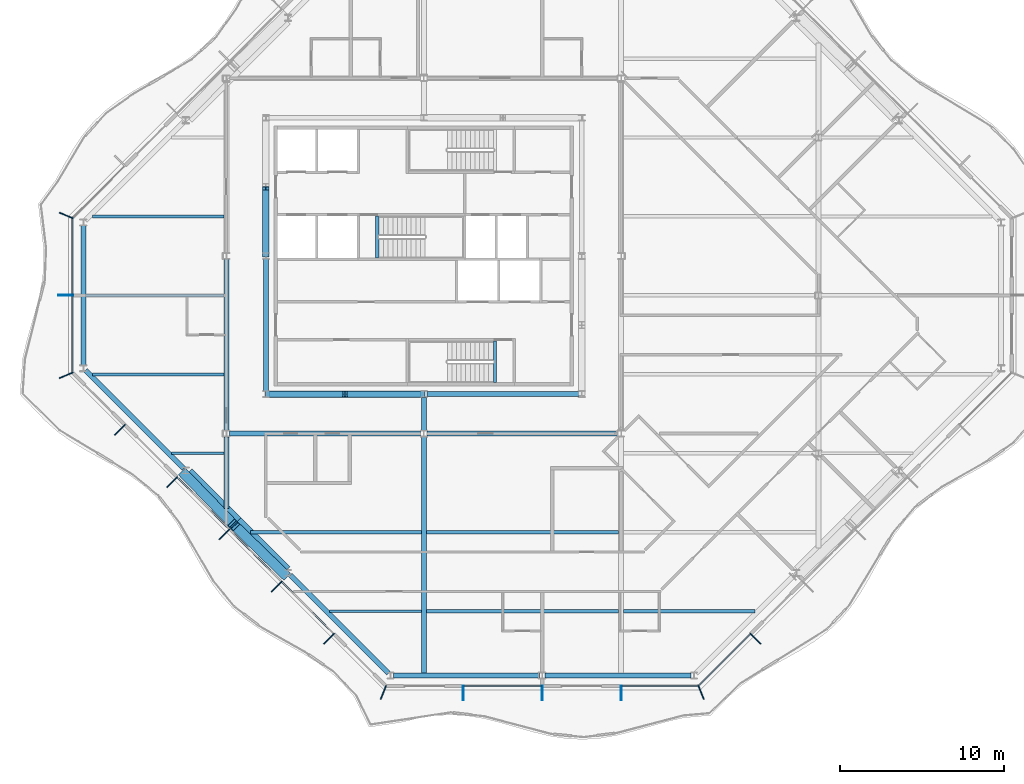
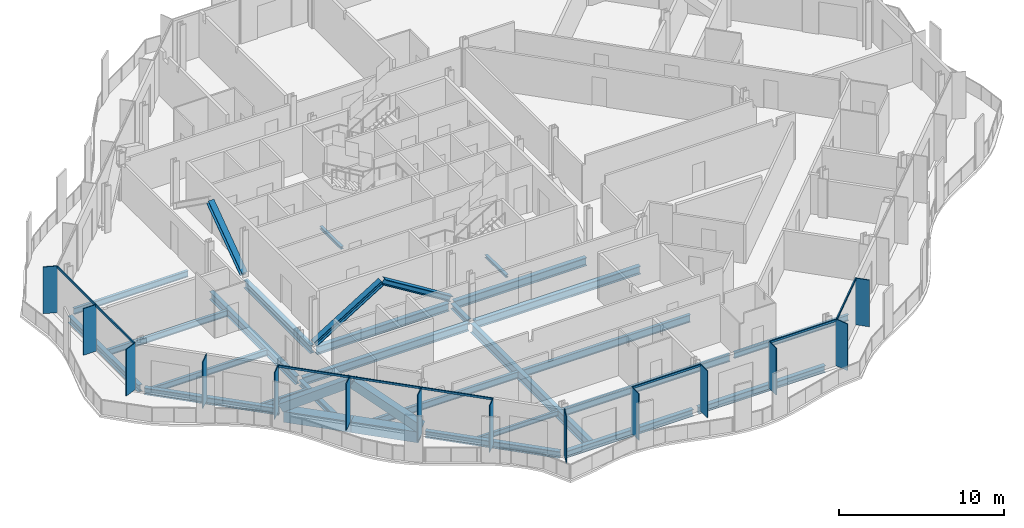
# One storey, part 3 of 17: 27 beams, 27 members, 4 elements without a shape of their own.
"""IFC4 building model written with IfcOpenShell, lengths in metres."""

import ifcopenshell
import ifcopenshell.guid

model = None  # the IFC model being written
_history = None  # IfcOwnerHistory: only IFC2X3 demands one
_inside = {}  # id of a spatial element -> (the spatial element, [elements in it])
_under = {}  # id of a project, library or spatial element -> (it, [spatial elements below it])
_declared = {}  # id of a project -> (the project, [libraries it declares])
_typed = {}  # id of a type object -> (the type object, [elements of that type])
_made_of = {}  # id of a material, layer set ... -> (it, [elements and type objects made of it])


def new_model(schema):
    """Start an empty IFC model of exactly this schema.

    Asked for "IFC4X3", IfcOpenShell would pick the latest addendum, in which some entities
    have other attributes; the version numbers below select the first issue.
    IFC2X3 requires an IfcOwnerHistory on every rooted entity: one is made here for all.
    """
    global model, _history
    if schema == "IFC4X3":
        model = ifcopenshell.file(schema_version=(4, 3, 0, 0))
    else:
        model = ifcopenshell.file(schema=schema)
    _inside.clear()
    _under.clear()
    _declared.clear()
    _typed.clear()
    _made_of.clear()
    _history = None
    if model.schema == "IFC2X3":
        org = make("IfcOrganization", Name="unknown")
        user = make(
            "IfcPersonAndOrganization",
            ThePerson=make("IfcPerson", FamilyName="unknown"),
            TheOrganization=org,
        )
        app = make(
            "IfcApplication",
            ApplicationDeveloper=org,
            Version="unknown",
            ApplicationFullName="unknown",
            ApplicationIdentifier="unknown",
        )
        _history = make(
            "IfcOwnerHistory",
            OwningUser=user,
            OwningApplication=app,
            ChangeAction="ADDED",
            CreationDate=0,
        )
    return model


def make(cls, **values):
    """One entity of the class cls with the attributes given. An attribute that is None is left unset."""
    return model.create_entity(
        cls, **{name: value for name, value in values.items() if value is not None}
    )


def rooted(cls, **values):
    """An entity with a GlobalId (a new one), such as an element, a storey or a relation."""
    return make(cls, GlobalId=ifcopenshell.guid.new(), OwnerHistory=_history, **values)


def si_unit(unit_type, name, prefix=None):
    """IfcSIUnit, for example si_unit("LENGTHUNIT", "METRE", prefix="MILLI")."""
    return make("IfcSIUnit", UnitType=unit_type, Prefix=prefix, Name=name)


def assignment(units):
    """IfcUnitAssignment: the units of a project."""
    return None if units is None else make("IfcUnitAssignment", Units=units)


def point(xyz):
    """IfcCartesianPoint."""
    return None if xyz is None else make("IfcCartesianPoint", Coordinates=xyz)


def direction(xyz):
    """IfcDirection."""
    return None if xyz is None else make("IfcDirection", DirectionRatios=xyz)


def frame(location, z_axis=None, x_axis=None):
    """IfcAxis2Placement3D, a coordinate frame: its origin and axes. An axis left out is left unset."""
    return make(
        "IfcAxis2Placement3D",
        Location=point(location),
        Axis=direction(z_axis),
        RefDirection=direction(x_axis),
    )


def frame_2d(location, x_axis=None):
    """IfcAxis2Placement2D, a coordinate frame in the plane: its origin and x axis."""
    return make(
        "IfcAxis2Placement2D", Location=point(location), RefDirection=direction(x_axis)
    )


def origin():
    """The frame at (0, 0, 0) with its axes left unset."""
    return frame((0.0, 0.0, 0.0))


def origin_2d():
    """The frame at (0, 0) in the plane with its x axis left unset."""
    return frame_2d((0.0, 0.0))


def place(relative_to, where):
    """IfcLocalPlacement: puts the frame where relative to a parent placement (None: the world)."""
    return make(
        "IfcLocalPlacement", PlacementRelTo=relative_to, RelativePlacement=where
    )


def context(
    kind, dimensions, precision=None, world=None, true_north=None, identifier=None
):
    """IfcGeometricRepresentationContext, for example the 3D "Model" context."""
    return make(
        "IfcGeometricRepresentationContext",
        ContextIdentifier=identifier,
        ContextType=kind,
        CoordinateSpaceDimension=dimensions,
        Precision=precision,
        WorldCoordinateSystem=world,
        TrueNorth=true_north,
    )


def subcontext(parent, identifier, kind, view, scale=None):
    """IfcGeometricRepresentationSubContext, for example "Body" below "Model"."""
    return make(
        "IfcGeometricRepresentationSubContext",
        ContextIdentifier=identifier,
        ContextType=kind,
        ParentContext=parent,
        TargetScale=scale,
        TargetView=view,
    )


def project(units=None, contexts=None):
    """IfcProject with its units and contexts."""
    return rooted(
        "IfcProject",
        Name="project",
        RepresentationContexts=contexts,
        UnitsInContext=assignment(units),
    )


def spatial(cls, under=None, at=None, **own):
    """A site, building, storey or space (cls), placed at a placement, below another one or the project."""
    s = rooted(cls, ObjectPlacement=at, **own)
    if under is not None:
        _under.setdefault(under.id(), (under, []))[1].append(s)
    return s


def profile(cls, at=None, kind="AREA", **sizes):
    """A parametric profile (cls). Its sizes go by their IFC names, for example OverallWidth=200.0."""
    return make(cls, ProfileType=kind, Position=at, **sizes)


def rectangle(**sizes):
    """IfcRectangleProfileDef."""
    return profile("IfcRectangleProfileDef", **sizes)


def hollow_rectangle(**sizes):
    """IfcRectangleHollowProfileDef."""
    return profile("IfcRectangleHollowProfileDef", **sizes)


def i_section(**sizes):
    """IfcIShapeProfileDef."""
    return profile("IfcIShapeProfileDef", **sizes)


def extrude(swept, where, along, depth):
    """IfcExtrudedAreaSolid: the profile swept, set in the frame where, extruded along a direction by depth."""
    return make(
        "IfcExtrudedAreaSolid",
        SweptArea=swept,
        Position=where,
        ExtrudedDirection=direction(along),
        Depth=depth,
    )


def shape(context_of_items, identifier, shape_type, items):
    """IfcShapeRepresentation: the items that make up one representation, for example the "Body"."""
    return make(
        "IfcShapeRepresentation",
        ContextOfItems=context_of_items,
        RepresentationIdentifier=identifier,
        RepresentationType=shape_type,
        Items=items,
    )


def material(Name=None, Category=None):
    """IfcMaterial."""
    return make("IfcMaterial", Name=Name, Category=Category)


def material_profile(
    of_material, cross_section, Name=None, Category=None, Priority=None
):
    """IfcMaterialProfile: a cross section and its material."""
    return make(
        "IfcMaterialProfile",
        Name=Name,
        Material=of_material,
        Profile=cross_section,
        Priority=Priority,
        Category=Category,
    )


def profile_set(profiles, Name=None, composite=None):
    """IfcMaterialProfileSet."""
    return make(
        "IfcMaterialProfileSet",
        Name=Name,
        MaterialProfiles=profiles,
        CompositeProfile=composite,
    )


def made_of(thing, what):
    """Note that an element or type object is made of a material, layer set ...; save() writes the relation."""
    if what is not None:
        _made_of.setdefault(what.id(), (what, []))[1].append(thing)
    return thing


def type_object(cls, material=None, **own):
    """A type object (cls), such as IfcWallType, which elements share."""
    return made_of(rooted(cls, **own), material)


def element(
    cls,
    number,
    at=None,
    inside=None,
    cuts=None,
    type_object=None,
    material=None,
    context=None,
    identifier="Body",
    shape_type=None,
    held_by="IfcProductDefinitionShape",
    body=None,
    shapes=None,
    **own,
):
    """One element of the class cls, such as IfcWall. Its Tag is "e" and its number.

    at: its placement. inside: the storey or other place that contains it. cuts: it is an
    opening in that element (IfcRelVoidsElement). A single representation is given by context,
    identifier, shape_type and body (its items); several are given by shapes. held_by: the class
    of the entity that holds the representations. save() writes the other relations.
    """
    e = rooted(cls, Tag="e%d" % number, ObjectPlacement=at, **own)
    if body is not None:
        shapes = [shape(context, identifier, shape_type, body)]
    if shapes is not None:
        e.Representation = make(held_by, Representations=shapes)
    if inside is not None:
        _inside.setdefault(inside.id(), (inside, []))[1].append(e)
    if cuts is not None:
        rooted(
            "IfcRelVoidsElement", RelatingBuildingElement=cuts, RelatedOpeningElement=e
        )
    if type_object is not None:
        _typed.setdefault(type_object.id(), (type_object, []))[1].append(e)
    return made_of(e, material)


def aggregate(whole, parts):
    """IfcRelAggregates: a whole, such as a stair, and the parts it consists of."""
    return rooted("IfcRelAggregates", RelatingObject=whole, RelatedObjects=parts)


def save(model, path):
    """Write the relations noted so far, then the file.

    IfcRelAggregates (storeys below a building ...), IfcRelContainedInSpatialStructure (elements
    in a storey), IfcRelDefinesByType, IfcRelAssociatesMaterial and IfcRelDeclares: one each for
    every whole, place, type object, material and project.
    """
    for whole, parts in _under.values():
        aggregate(whole, parts)
    for where, things in _inside.values():
        rooted(
            "IfcRelContainedInSpatialStructure",
            RelatedElements=things,
            RelatingStructure=where,
        )
    for kind, things in _typed.values():
        rooted("IfcRelDefinesByType", RelatedObjects=things, RelatingType=kind)
    for what, things in _made_of.values():
        rooted("IfcRelAssociatesMaterial", RelatedObjects=things, RelatingMaterial=what)
    for by, libraries in _declared.values():
        rooted("IfcRelDeclares", RelatingContext=by, RelatedDefinitions=libraries)
    model.write(path)


model = new_model("IFC4")

# Units and contexts
model_context = context("Model", 3, precision=1e-05, world=origin(), true_north=direction((0.0, 1.0)))
body_context = subcontext(model_context, "Body", "Model", "MODEL_VIEW")
ifc_project = project(units=[si_unit("LENGTHUNIT", "METRE"), si_unit("AREAUNIT", "SQUARE_METRE"), si_unit("VOLUMEUNIT", "CUBIC_METRE"), si_unit("PLANEANGLEUNIT", "RADIAN"), si_unit("MASSUNIT", "GRAM", prefix="KILO")], contexts=[model_context])

# Site, building, storey
site_placement = place(None, origin())
site = spatial("IfcSite", under=ifc_project, at=site_placement, CompositionType="ELEMENT")
building_placement = place(site_placement, origin())
building = spatial("IfcBuilding", under=site, at=building_placement, Name="Cairn Pilgrim Tower", CompositionType="ELEMENT")
storey_placement = place(building_placement, frame((0.0, 0.0, 235.800048828125)))
storey = spatial("IfcBuildingStorey", under=building, at=storey_placement, Name="L60", CompositionType="ELEMENT", Elevation=235.800048828125)

# Members
ifc_material_1 = material(Name="Structural steel S460M", Category="steel")
ifc_material_profile_1 = material_profile(ifc_material_1, hollow_rectangle(XDim=0.60009765625, YDim=0.60009765625, WallThickness=0.034912109375, at=origin_2d()), Name="BOX 600x600x35")
ifc_profile_set_1 = profile_set([ifc_material_profile_1], Name="Structural steel S460M")
member_type_1 = type_object("IfcMemberType", Name="BOX 600x600x35 BRACE", PredefinedType="BRACE", material=ifc_profile_set_1)
for number, where, z_axis, x_axis, name in (
    (1, (-7.394775390625, -10.813232421875, 0.14990234375), (0.593141693494, -0.611806144004, 0.523331800675), (0.717973624454, 0.696070308653, 0.0), "XB-SW2-SW3-1"),
    (2, (-1.213134765625, -16.99462890625, 0.14990234375), (-0.611806144004, 0.593141693494, 0.523331800675), (-0.696070308653, -0.717973624454, 0.0), "XB-SW2-SW3-2"),
):
    element("IfcMember", number, at=place(storey_placement, frame(where, z_axis=z_axis, x_axis=x_axis)), inside=storey, type_object=member_type_1, Name=name, PredefinedType="BRACE", context=body_context, shape_type="SweptSolid", body=[
        extrude(hollow_rectangle(XDim=0.60009765625, YDim=0.60009765625, WallThickness=0.034912109375, at=origin_2d()), origin(), (0.0, 0.0, 1.0), 5.035888671875),
    ])

# Beams
ifc_material_2 = material(Name="Structural steel S355J2", Category="steel")
ifc_material_profile_2 = material_profile(ifc_material_2, hollow_rectangle(XDim=0.699951171875, YDim=0.800048828125, WallThickness=0.0400390625, at=origin_2d()), Name="BOX 700x800x40")
ifc_profile_set_2 = profile_set([ifc_material_profile_2], Name="Structural steel S355J2")
beam_type_1 = type_object("IfcBeamType", Name="BOX 700x800x40 RING GIRDER", PredefinedType="SPANDREL", material=ifc_profile_set_2)
for number, where, z_axis, x_axis, name in (
    (3, (-7.147216796875, -10.780029296875, -0.550048828125), (0.707106781187, -0.707106781187, 0.0), (0.707106781187, 0.707106781187, 0.0), "RG3-SW2-SW3-1"),
    (4, (-4.16357421875, -13.763671875, -0.550048828125), (0.707106781187, -0.707106781187, 0.0), (0.707106781187, 0.707106781187, 0.0), "RG3-SW2-SW3-2"),
):
    element("IfcBeam", number, at=place(storey_placement, frame(where, z_axis=z_axis, x_axis=x_axis)), inside=storey, type_object=beam_type_1, Name=name, PredefinedType="SPANDREL", context=body_context, shape_type="SweptSolid", body=[
        extrude(hollow_rectangle(XDim=0.699951171875, YDim=0.800048828125, WallThickness=0.0400390625, at=origin_2d()), origin(), (0.0, 0.0, 1.0), 4.219482421875),
    ])

# Curtain wall, members
ifc_material_3 = material(Name="Aluminium alloy 6063-T6 bronze anodised with Bronze tinted laminated low-E glass 8+16+8.8", Category="aluminium")
curtain_wall_type_1 = type_object("IfcCurtainWallType", Name="TOWER STICK CURTAIN WALL NS", PredefinedType="NOTDEFINED", material=ifc_material_3)
curtain_wall_1_placement = place(storey_placement, origin())
curtain_wall_1 = element("IfcCurtainWall", 5, at=curtain_wall_1_placement, inside=storey, type_object=curtain_wall_type_1, Name="Tower Stick Curtain Wall Ns S", PredefinedType="NOTDEFINED")
ifc_material_4 = material(Name="Aluminium alloy 6063-T6 bronze anodised", Category="aluminium")
ifc_material_profile_3 = material_profile(ifc_material_4, rectangle(XDim=0.89990234375, YDim=0.06005859375, at=origin_2d()), Name="FIN MULLION 60x900 BRONZE")
ifc_profile_set_3 = profile_set([ifc_material_profile_3], Name="Aluminium alloy 6063-T6 bronze anodised")
member_type_2 = type_object("IfcMemberType", Name="FIN MULLION 60x900 BRONZE", PredefinedType="MULLION", material=ifc_profile_set_3)
member_1_placement = place(storey_placement, frame((4.742919921875, -24.137939453125, 0.0), z_axis=(0.0, 0.0, 1.0), x_axis=(-0.382683432365, -0.923879532511, 0.0)))
member_1 = element("IfcMember", 6, at=member_1_placement, type_object=member_type_2, Name="Fin mullion S1", PredefinedType="MULLION", context=body_context, shape_type="SweptSolid", body=[
    extrude(rectangle(XDim=0.89990234375, YDim=0.06005859375, at=origin_2d()), origin(), (0.0, 0.0, 1.0), 3.449951171875),
])
member_2_placement = place(storey_placement, frame((9.60009765625, -24.169921875, 0.0), z_axis=(0.0, 0.0, 1.0), x_axis=(0.0, -1.0, 0.0)))
member_2 = element("IfcMember", 7, at=member_2_placement, type_object=member_type_2, Name="Fin mullion S2", PredefinedType="MULLION", context=body_context, shape_type="SweptSolid", body=[
    extrude(rectangle(XDim=0.89990234375, YDim=0.06005859375, at=origin_2d()), origin(), (0.0, 0.0, 1.0), 3.449951171875),
])
member_3_placement = place(storey_placement, frame((14.39990234375, -24.169921875, 0.0), z_axis=(0.0, 0.0, 1.0), x_axis=(0.0, -1.0, 0.0)))
member_3 = element("IfcMember", 8, at=member_3_placement, type_object=member_type_2, Name="Fin mullion S3", PredefinedType="MULLION", context=body_context, shape_type="SweptSolid", body=[
    extrude(rectangle(XDim=0.89990234375, YDim=0.06005859375, at=origin_2d()), origin(), (0.0, 0.0, 1.0), 3.449951171875),
])
member_4_placement = place(storey_placement, frame((19.199951171875, -24.169921875, 0.0), z_axis=(0.0, 0.0, 1.0), x_axis=(0.0, -1.0, 0.0)))
member_4 = element("IfcMember", 9, at=member_4_placement, type_object=member_type_2, Name="Fin mullion S4", PredefinedType="MULLION", context=body_context, shape_type="SweptSolid", body=[
    extrude(rectangle(XDim=0.89990234375, YDim=0.06005859375, at=origin_2d()), origin(), (0.0, 0.0, 1.0), 3.449951171875),
])

curtain_wall_type_2 = type_object("IfcCurtainWallType", Name="CHAMFER CORNER CURTAIN WALL", PredefinedType="NOTDEFINED", material=ifc_material_3)
curtain_wall_2_placement = place(storey_placement, origin())
curtain_wall_2 = element("IfcCurtainWall", 10, at=curtain_wall_2_placement, inside=storey, type_object=curtain_wall_type_2, Name="Chamfer Corner Curtain Wall SE", PredefinedType="NOTDEFINED")
member_5_placement = place(storey_placement, frame((24.05712890625, -24.137939453125, 0.0), z_axis=(0.0, 0.0, 1.0), x_axis=(0.382683432365, -0.923879532511, 0.0)))
member_5 = element("IfcMember", 11, at=member_5_placement, type_object=member_type_2, Name="Fin mullion SE1", PredefinedType="MULLION", context=body_context, shape_type="SweptSolid", body=[
    extrude(rectangle(XDim=0.89990234375, YDim=0.06005859375, at=origin_2d()), origin(), (0.0, 0.0, 1.0), 3.449951171875),
])
member_6_placement = place(storey_placement, frame((27.369140625, -20.871337890625, 0.0), z_axis=(0.0, 0.0, 1.0), x_axis=(0.707106781187, -0.707106781187, 0.0)))
member_6 = element("IfcMember", 12, at=member_6_placement, type_object=member_type_2, Name="Fin mullion SE2", PredefinedType="MULLION", context=body_context, shape_type="SweptSolid", body=[
    extrude(rectangle(XDim=0.89990234375, YDim=0.06005859375, at=origin_2d()), origin(), (0.0, 0.0, 1.0), 3.449951171875),
])

curtain_wall_type_3 = type_object("IfcCurtainWallType", Name="TOWER STICK CURTAIN WALL EW", PredefinedType="NOTDEFINED", material=ifc_material_3)
curtain_wall_3_placement = place(storey_placement, origin())
curtain_wall_3 = element("IfcCurtainWall", 13, at=curtain_wall_3_placement, inside=storey, type_object=curtain_wall_type_3, Name="Tower Stick Curtain Wall Ew W", PredefinedType="NOTDEFINED")
member_7_placement = place(storey_placement, frame((-14.5380859375, 4.857177734375, 0.0), z_axis=(0.0, 0.0, 1.0), x_axis=(-0.923879532511, 0.382683432365, 0.0)))
member_7 = element("IfcMember", 14, at=member_7_placement, type_object=member_type_2, Name="Fin mullion W1", PredefinedType="MULLION", context=body_context, shape_type="SweptSolid", body=[
    extrude(rectangle(XDim=0.89990234375, YDim=0.06005859375, at=origin_2d()), origin(), (0.0, 0.0, 1.0), 3.449951171875),
])
member_8_placement = place(storey_placement, frame((-14.570068359375, 0.0, 0.0), z_axis=(0.0, 0.0, 1.0), x_axis=(-1.0, 0.0, 0.0)))
member_8 = element("IfcMember", 15, at=member_8_placement, type_object=member_type_2, Name="Fin mullion W2", PredefinedType="MULLION", context=body_context, shape_type="SweptSolid", body=[
    extrude(rectangle(XDim=0.89990234375, YDim=0.06005859375, at=origin_2d()), origin(), (0.0, 0.0, 1.0), 3.449951171875),
])

curtain_wall_4_placement = place(storey_placement, origin())
curtain_wall_4 = element("IfcCurtainWall", 16, at=curtain_wall_4_placement, inside=storey, type_object=curtain_wall_type_2, Name="Chamfer Corner Curtain Wall SW", PredefinedType="NOTDEFINED")
member_9_placement = place(storey_placement, frame((-14.5380859375, -4.857177734375, 0.0), z_axis=(0.0, 0.0, 1.0), x_axis=(-0.923879532511, -0.382683432365, 0.0)))
member_9 = element("IfcMember", 17, at=member_9_placement, type_object=member_type_2, Name="Fin mullion SW1", PredefinedType="MULLION", context=body_context, shape_type="SweptSolid", body=[
    extrude(rectangle(XDim=0.89990234375, YDim=0.06005859375, at=origin_2d()), origin(), (0.0, 0.0, 1.0), 3.449951171875),
])
member_10_placement = place(storey_placement, frame((-11.271484375, -8.1689453125, 0.0), z_axis=(0.0, 0.0, 1.0), x_axis=(-0.707106781187, -0.707106781187, 0.0)))
member_10 = element("IfcMember", 18, at=member_10_placement, type_object=member_type_2, Name="Fin mullion SW2", PredefinedType="MULLION", context=body_context, shape_type="SweptSolid", body=[
    extrude(rectangle(XDim=0.89990234375, YDim=0.06005859375, at=origin_2d()), origin(), (0.0, 0.0, 1.0), 3.449951171875),
])
member_11_placement = place(storey_placement, frame((-8.095703125, -11.3447265625, 0.0), z_axis=(0.0, 0.0, 1.0), x_axis=(-0.707106781187, -0.707106781187, 0.0)))
member_11 = element("IfcMember", 19, at=member_11_placement, type_object=member_type_2, Name="Fin mullion SW3", PredefinedType="MULLION", context=body_context, shape_type="SweptSolid", body=[
    extrude(rectangle(XDim=0.89990234375, YDim=0.06005859375, at=origin_2d()), origin(), (0.0, 0.0, 1.0), 3.449951171875),
])
member_12_placement = place(storey_placement, frame((-4.920166015625, -14.520263671875, 0.0), z_axis=(0.0, 0.0, 1.0), x_axis=(-0.707106781187, -0.707106781187, 0.0)))
member_12 = element("IfcMember", 20, at=member_12_placement, type_object=member_type_2, Name="Fin mullion SW4", PredefinedType="MULLION", context=body_context, shape_type="SweptSolid", body=[
    extrude(rectangle(XDim=0.89990234375, YDim=0.06005859375, at=origin_2d()), origin(), (0.0, 0.0, 1.0), 3.449951171875),
])
member_13_placement = place(storey_placement, frame((-1.74462890625, -17.69580078125, 0.0), z_axis=(0.0, 0.0, 1.0), x_axis=(-0.707106781187, -0.707106781187, 0.0)))
member_13 = element("IfcMember", 21, at=member_13_placement, type_object=member_type_2, Name="Fin mullion SW5", PredefinedType="MULLION", context=body_context, shape_type="SweptSolid", body=[
    extrude(rectangle(XDim=0.89990234375, YDim=0.06005859375, at=origin_2d()), origin(), (0.0, 0.0, 1.0), 3.449951171875),
])
member_14_placement = place(storey_placement, frame((1.430908203125, -20.871337890625, 0.0), z_axis=(0.0, 0.0, 1.0), x_axis=(-0.707106781187, -0.707106781187, 0.0)))
member_14 = element("IfcMember", 22, at=member_14_placement, type_object=member_type_2, Name="Fin mullion SW6", PredefinedType="MULLION", context=body_context, shape_type="SweptSolid", body=[
    extrude(rectangle(XDim=0.89990234375, YDim=0.06005859375, at=origin_2d()), origin(), (0.0, 0.0, 1.0), 3.449951171875),
])

# Members
ifc_material_profile_4 = material_profile(ifc_material_2, i_section(OverallWidth=0.39794921875, OverallDepth=0.386962890625, WebThickness=0.02099609375, FlangeThickness=0.033203125, FilletRadius=0.014892578125, at=origin_2d()), Name="HD 400x262")
ifc_profile_set_4 = profile_set([ifc_material_profile_4], Name="Structural steel S355J2")
member_type_3 = type_object("IfcMemberType", Name="HD 400x262 BRACE", PredefinedType="BRACE", material=ifc_profile_set_4)
for number, where, z_axis, x_axis, name in (
    (23, (-2.360107421875, -6.0, 0.099853515625), (0.851197168056, 0.0, 0.524846054661), (0.0, 1.0, 0.0), "KB-1A"),
    (24, (7.16015625, -6.0, 0.099853515625), (-0.851197168056, 0.0, 0.524846054661), (0.0, -1.0, 0.0), "KB-1B"),
):
    element("IfcMember", number, at=place(storey_placement, frame(where, z_axis=z_axis, x_axis=x_axis)), inside=storey, type_object=member_type_3, Name=name, PredefinedType="BRACE", context=body_context, shape_type="SweptSolid", body=[
        extrude(i_section(OverallWidth=0.39794921875, OverallDepth=0.386962890625, WebThickness=0.02099609375, FlangeThickness=0.033203125, FilletRadius=0.014892578125, at=origin_2d()), origin(), (0.0, 0.0, 1.0), 5.52978515625),
    ])
member_15_placement = place(storey_placement, frame((-2.39990234375, 2.439697265625, 0.099853515625), z_axis=(0.0, 0.814462005215, 0.580216892258), x_axis=(-1.0, 0.0, 0.0)))
element("IfcMember", 25, at=member_15_placement, inside=storey, type_object=member_type_3, Name="KB-4B", PredefinedType="BRACE", context=body_context, shape_type="SweptSolid", body=[
    extrude(i_section(OverallWidth=0.39794921875, OverallDepth=0.386962890625, WebThickness=0.02099609375, FlangeThickness=0.033203125, FilletRadius=0.014892578125, at=origin_2d()), origin(), (0.0, 0.0, 1.0), 4.999755859375),
])

# Beams
ifc_material_profile_5 = material_profile(ifc_material_2, i_section(OverallWidth=0.300048828125, OverallDepth=0.39990234375, WebThickness=0.013427734375, FlangeThickness=0.02392578125, FilletRadius=0.027099609375, at=origin_2d()), Name="HEB 400")
ifc_profile_set_5 = profile_set([ifc_material_profile_5], Name="Structural steel S355J2")
beam_type_2 = type_object("IfcBeamType", Name="HEB 400 GIRDER", PredefinedType="BEAM", material=ifc_profile_set_5)
beam_1_placement = place(storey_placement, frame((-4.800048828125, -12.945068359375, -0.35009765625), z_axis=(0.0, 1.0, 0.0), x_axis=(-1.0, 0.0, 0.0)))
element("IfcBeam", 26, at=beam_1_placement, inside=storey, type_object=beam_type_2, Name="PG2-1", PredefinedType="BEAM", context=body_context, shape_type="SweptSolid", body=[
    extrude(i_section(OverallWidth=0.300048828125, OverallDepth=0.39990234375, WebThickness=0.013427734375, FlangeThickness=0.02392578125, FilletRadius=0.027099609375, at=origin_2d()), origin(), (0.0, 0.0, 1.0), 4.34814453125),
])
beam_2_placement = place(storey_placement, frame((7.199951171875, -8.202880859375, -0.35009765625), z_axis=(0.0, 1.0, 0.0), x_axis=(-1.0, 0.0, 0.0)))
element("IfcBeam", 27, at=beam_2_placement, inside=storey, type_object=beam_type_2, Name="PG3-E1", PredefinedType="BEAM", context=body_context, shape_type="SweptSolid", body=[
    extrude(i_section(OverallWidth=0.300048828125, OverallDepth=0.39990234375, WebThickness=0.013427734375, FlangeThickness=0.02392578125, FilletRadius=0.027099609375, at=origin_2d()), origin(), (0.0, 0.0, 1.0), 2.00390625),
])
ifc_material_profile_6 = material_profile(ifc_material_2, i_section(OverallWidth=0.300048828125, OverallDepth=0.5, WebThickness=0.014404296875, FlangeThickness=0.028076171875, FilletRadius=0.027099609375, at=origin_2d()), Name="HEB 500")
ifc_profile_set_6 = profile_set([ifc_material_profile_6], Name="Structural steel S355J2")
beam_type_3 = type_object("IfcBeamType", Name="HEB 500 RING GIRDER", PredefinedType="SPANDREL", material=ifc_profile_set_6)
beam_3_placement = place(storey_placement, frame((5.3544921875, -23.10009765625, -0.400146484375), z_axis=(1.0, 0.0, 0.0), x_axis=(0.0, 1.0, 0.0)))
element("IfcBeam", 28, at=beam_3_placement, inside=storey, type_object=beam_type_3, Name="RG3-S1-S2", PredefinedType="SPANDREL", context=body_context, shape_type="SweptSolid", body=[
    extrude(i_section(OverallWidth=0.300048828125, OverallDepth=0.5, WebThickness=0.014404296875, FlangeThickness=0.028076171875, FilletRadius=0.027099609375, at=origin_2d()), origin(), (0.0, 0.0, 1.0), 8.86376953125),
])
beam_4_placement = place(storey_placement, frame((14.581787109375, -23.10009765625, -0.400146484375), z_axis=(1.0, 0.0, 0.0), x_axis=(0.0, 1.0, 0.0)))
element("IfcBeam", 29, at=beam_4_placement, inside=storey, type_object=beam_type_3, Name="RG3-S2-SE1", PredefinedType="SPANDREL", context=body_context, shape_type="SweptSolid", body=[
    extrude(i_section(OverallWidth=0.300048828125, OverallDepth=0.5, WebThickness=0.014404296875, FlangeThickness=0.028076171875, FilletRadius=0.027099609375, at=origin_2d()), origin(), (0.0, 0.0, 1.0), 8.863525390625),
])
beam_5_placement = place(storey_placement, frame((-13.5, 4.245361328125, -0.400146484375), z_axis=(0.0, -1.0, 0.0), x_axis=(1.0, 0.0, 0.0)))
element("IfcBeam", 30, at=beam_5_placement, inside=storey, type_object=beam_type_3, Name="RG3-W1-SW1", PredefinedType="SPANDREL", context=body_context, shape_type="SweptSolid", body=[
    extrude(i_section(OverallWidth=0.300048828125, OverallDepth=0.5, WebThickness=0.014404296875, FlangeThickness=0.028076171875, FilletRadius=0.027099609375, at=origin_2d()), origin(), (0.0, 0.0, 1.0), 8.49072265625),
])
for number, where, z_axis, x_axis, name in (
    (31, (-13.371337890625, -4.555908203125, -0.400146484375), (0.707106781187, -0.707106781187, 0.0), (0.707106781187, 0.707106781187, 0.0), "RG3-SW1-SW2"),
    (32, (-0.9228515625, -17.00439453125, -0.400146484375), (0.707106781187, -0.707106781187, 0.0), (0.707106781187, 0.707106781187, 0.0), "RG3-SW3-S1"),
):
    element("IfcBeam", number, at=place(storey_placement, frame(where, z_axis=z_axis, x_axis=x_axis)), inside=storey, type_object=beam_type_3, Name=name, PredefinedType="SPANDREL", context=body_context, shape_type="SweptSolid", body=[
        extrude(i_section(OverallWidth=0.300048828125, OverallDepth=0.5, WebThickness=0.014404296875, FlangeThickness=0.028076171875, FilletRadius=0.027099609375, at=origin_2d()), origin(), (0.0, 0.0, 1.0), 8.438720703125),
    ])
ifc_material_profile_7 = material_profile(ifc_material_2, i_section(OverallWidth=0.300048828125, OverallDepth=0.60009765625, WebThickness=0.015380859375, FlangeThickness=0.030029296875, FilletRadius=0.027099609375, at=origin_2d()), Name="HEB 600")
ifc_profile_set_7 = profile_set([ifc_material_profile_7], Name="Structural steel S355J2")
beam_type_4 = type_object("IfcBeamType", Name="HEB 600 CORE BEAM", PredefinedType="BEAM", material=ifc_profile_set_7)
beam_6_placement = place(storey_placement, frame((-2.220947265625, -6.0, -0.449951171875), z_axis=(1.0, 0.0, 0.0), x_axis=(0.0, 1.0, 0.0)))
element("IfcBeam", 33, at=beam_6_placement, inside=storey, type_object=beam_type_4, Name="CB-1", PredefinedType="BEAM", context=body_context, shape_type="SweptSolid", body=[
    extrude(i_section(OverallWidth=0.300048828125, OverallDepth=0.60009765625, WebThickness=0.015380859375, FlangeThickness=0.030029296875, FilletRadius=0.027099609375, at=origin_2d()), origin(), (0.0, 0.0, 1.0), 9.241943359375),
])
beam_7_placement = place(storey_placement, frame((7.379150390625, -6.0, -0.449951171875), z_axis=(1.0, 0.0, 0.0), x_axis=(0.0, 1.0, 0.0)))
element("IfcBeam", 34, at=beam_7_placement, inside=storey, type_object=beam_type_4, Name="CB-2", PredefinedType="BEAM", context=body_context, shape_type="SweptSolid", body=[
    extrude(i_section(OverallWidth=0.300048828125, OverallDepth=0.60009765625, WebThickness=0.015380859375, FlangeThickness=0.030029296875, FilletRadius=0.027099609375, at=origin_2d()), origin(), (0.0, 0.0, 1.0), 9.24169921875),
])
beam_8_placement = place(storey_placement, frame((-2.39990234375, 2.220947265625, -0.449951171875), z_axis=(0.0, -1.0, 0.0), x_axis=(1.0, 0.0, 0.0)))
element("IfcBeam", 35, at=beam_8_placement, inside=storey, type_object=beam_type_4, Name="CB-8", PredefinedType="BEAM", context=body_context, shape_type="SweptSolid", body=[
    extrude(i_section(OverallWidth=0.300048828125, OverallDepth=0.60009765625, WebThickness=0.015380859375, FlangeThickness=0.030029296875, FilletRadius=0.027099609375, at=origin_2d()), origin(), (0.0, 0.0, 1.0), 8.041748046875),
])
ifc_material_profile_8 = material_profile(ifc_material_2, i_section(OverallWidth=0.300048828125, OverallDepth=0.60009765625, WebThickness=0.015380859375, FlangeThickness=0.030029296875, FilletRadius=0.027099609375, at=origin_2d()), Name="HEB 600")
ifc_profile_set_8 = profile_set([ifc_material_profile_8], Name="Structural steel S355J2")
beam_type_5 = type_object("IfcBeamType", Name="HEB 600 GIRDER", PredefinedType="BEAM", material=ifc_profile_set_8)
beam_9_placement = place(storey_placement, frame((-4.800048828125, -8.202880859375, -0.449951171875), z_axis=(0.0, 1.0, 0.0), x_axis=(-1.0, 0.0, 0.0)))
element("IfcBeam", 36, at=beam_9_placement, inside=storey, type_object=beam_type_5, Name="PG2-2", PredefinedType="BEAM", context=body_context, shape_type="SweptSolid", body=[
    extrude(i_section(OverallWidth=0.300048828125, OverallDepth=0.60009765625, WebThickness=0.015380859375, FlangeThickness=0.030029296875, FilletRadius=0.027099609375, at=origin_2d()), origin(), (0.0, 0.0, 1.0), 10.40576171875),
])
ifc_material_profile_9 = material_profile(ifc_material_2, i_section(OverallWidth=0.300048828125, OverallDepth=0.60009765625, WebThickness=0.015380859375, FlangeThickness=0.030029296875, FilletRadius=0.027099609375, at=origin_2d()), Name="HEB 600")
ifc_profile_set_9 = profile_set([ifc_material_profile_9], Name="Structural steel S355J2")
beam_type_6 = type_object("IfcBeamType", Name="HEB 600 INNER GIRDER", PredefinedType="BEAM", material=ifc_profile_set_9)
for number, where, z_axis, x_axis, name in (
    (37, (-4.60302734375, -8.39990234375, -0.449951171875), (1.0, 0.0, 0.0), (0.0, 1.0, 0.0), "IG1-1"),
    (38, (7.39697265625, -8.39990234375, -0.449951171875), (1.0, 0.0, 0.0), (0.0, 1.0, 0.0), "IG1-2"),
):
    element("IfcBeam", number, at=place(storey_placement, frame(where, z_axis=z_axis, x_axis=x_axis)), inside=storey, type_object=beam_type_6, Name=name, PredefinedType="BEAM", context=body_context, shape_type="SweptSolid", body=[
        extrude(i_section(OverallWidth=0.300048828125, OverallDepth=0.60009765625, WebThickness=0.015380859375, FlangeThickness=0.030029296875, FilletRadius=0.027099609375, at=origin_2d()), origin(), (0.0, 0.0, 1.0), 11.60595703125),
    ])
ifc_material_profile_10 = material_profile(ifc_material_2, i_section(OverallWidth=0.300048828125, OverallDepth=0.699951171875, WebThickness=0.01708984375, FlangeThickness=0.031982421875, FilletRadius=0.027099609375, at=origin_2d()), Name="HEB 700")
ifc_profile_set_10 = profile_set([ifc_material_profile_10], Name="Structural steel S355J2")
beam_type_7 = type_object("IfcBeamType", Name="HEB 700 GIRDER", PredefinedType="BEAM", material=ifc_profile_set_10)
beam_10_placement = place(storey_placement, frame((7.199951171875, -22.97998046875, -0.5), z_axis=(0.0, 1.0, 0.0), x_axis=(-1.0, 0.0, 0.0)))
element("IfcBeam", 39, at=beam_10_placement, inside=storey, type_object=beam_type_7, Name="PG3-1", PredefinedType="BEAM", context=body_context, shape_type="SweptSolid", body=[
    extrude(i_section(OverallWidth=0.300048828125, OverallDepth=0.699951171875, WebThickness=0.01708984375, FlangeThickness=0.031982421875, FilletRadius=0.027099609375, at=origin_2d()), origin(), (0.0, 0.0, 1.0), 14.383056640625),
])
ifc_material_profile_11 = material_profile(ifc_material_2, i_section(OverallWidth=0.169921875, OverallDepth=0.360107421875, WebThickness=0.008056640625, FlangeThickness=0.0126953125, FilletRadius=0.01806640625, at=origin_2d()), Name="IPE 360")
ifc_profile_set_11 = profile_set([ifc_material_profile_11], Name="Structural steel S355J2")
beam_type_8 = type_object("IfcBeamType", Name="IPE 360 SECONDARY BEAM", PredefinedType="JOIST", material=ifc_profile_set_11)
beam_11_placement = place(storey_placement, frame((1.454833984375, -19.199951171875, -0.330078125), z_axis=(1.0, 0.0, 0.0), x_axis=(0.0, 1.0, 0.0)))
element("IfcBeam", 40, at=beam_11_placement, inside=storey, type_object=beam_type_8, Name="SB1-1", PredefinedType="JOIST", context=body_context, shape_type="SweptSolid", body=[
    extrude(i_section(OverallWidth=0.169921875, OverallDepth=0.360107421875, WebThickness=0.008056640625, FlangeThickness=0.0126953125, FilletRadius=0.01806640625, at=origin_2d()), origin(), (0.0, 0.0, 1.0), 5.59521484375),
])
beam_12_placement = place(storey_placement, frame((-8.14501953125, -9.60009765625, -0.330078125), z_axis=(1.0, 0.0, 0.0), x_axis=(0.0, 1.0, 0.0)))
element("IfcBeam", 41, at=beam_12_placement, inside=storey, type_object=beam_type_8, Name="SB3-1", PredefinedType="JOIST", context=body_context, shape_type="SweptSolid", body=[
    extrude(i_section(OverallWidth=0.169921875, OverallDepth=0.360107421875, WebThickness=0.008056640625, FlangeThickness=0.0126953125, FilletRadius=0.01806640625, at=origin_2d()), origin(), (0.0, 0.0, 1.0), 3.195068359375),
])
ifc_material_profile_12 = material_profile(ifc_material_2, i_section(OverallWidth=0.18994140625, OverallDepth=0.449951171875, WebThickness=0.009521484375, FlangeThickness=0.0146484375, FilletRadius=0.02099609375, at=origin_2d()), Name="IPE 450")
ifc_profile_set_12 = profile_set([ifc_material_profile_12], Name="Structural steel S355J2")
beam_type_9 = type_object("IfcBeamType", Name="IPE 450 SECONDARY BEAM", PredefinedType="JOIST", material=ifc_profile_set_12)
for number, where, z_axis, x_axis, name in (
    (42, (19.35009765625, -19.199951171875, -0.375), (1.0, 0.0, 0.0), (0.0, 1.0, 0.0), "SB1-3"),
    (43, (-12.945068359375, -4.800048828125, -0.375), (1.0, 0.0, 0.0), (0.0, 1.0, 0.0), "SB4-1"),
):
    element("IfcBeam", number, at=place(storey_placement, frame(where, z_axis=z_axis, x_axis=x_axis)), inside=storey, type_object=beam_type_9, Name=name, PredefinedType="JOIST", context=body_context, shape_type="SweptSolid", body=[
        extrude(i_section(OverallWidth=0.18994140625, OverallDepth=0.449951171875, WebThickness=0.009521484375, FlangeThickness=0.0146484375, FilletRadius=0.02099609375, at=origin_2d()), origin(), (0.0, 0.0, 1.0), 7.9951171875),
    ])
beam_13_placement = place(storey_placement, frame((-13.3798828125, 0.0, -0.375), z_axis=(1.0, 0.0, 0.0), x_axis=(0.0, 1.0, 0.0)))
element("IfcBeam", 44, at=beam_13_placement, inside=storey, type_object=beam_type_9, Name="SB5-1", PredefinedType="JOIST", context=body_context, shape_type="SweptSolid", body=[
    extrude(i_section(OverallWidth=0.18994140625, OverallDepth=0.449951171875, WebThickness=0.009521484375, FlangeThickness=0.0146484375, FilletRadius=0.02099609375, at=origin_2d()), origin(), (0.0, 0.0, 1.0), 8.429931640625),
])
beam_14_placement = place(storey_placement, frame((-12.945068359375, 4.800048828125, -0.375), z_axis=(1.0, 0.0, 0.0), x_axis=(0.0, 1.0, 0.0)))
element("IfcBeam", 45, at=beam_14_placement, inside=storey, type_object=beam_type_9, Name="SB6-1", PredefinedType="JOIST", context=body_context, shape_type="SweptSolid", body=[
    extrude(i_section(OverallWidth=0.18994140625, OverallDepth=0.449951171875, WebThickness=0.009521484375, FlangeThickness=0.0146484375, FilletRadius=0.02099609375, at=origin_2d()), origin(), (0.0, 0.0, 1.0), 7.9951171875),
])
ifc_material_profile_13 = material_profile(ifc_material_2, i_section(OverallWidth=0.199951171875, OverallDepth=0.5, WebThickness=0.01025390625, FlangeThickness=0.01611328125, FilletRadius=0.02099609375, at=origin_2d()), Name="IPE 500")
ifc_profile_set_13 = profile_set([ifc_material_profile_13], Name="Structural steel S355J2")
beam_type_10 = type_object("IfcBeamType", Name="IPE 500 SECONDARY BEAM", PredefinedType="JOIST", material=ifc_profile_set_13)
beam_15_placement = place(storey_placement, frame((-3.34521484375, -14.39990234375, -0.400146484375), z_axis=(1.0, 0.0, 0.0), x_axis=(0.0, 1.0, 0.0)))
element("IfcBeam", 46, at=beam_15_placement, inside=storey, type_object=beam_type_10, Name="SB2-1", PredefinedType="JOIST", context=body_context, shape_type="SweptSolid", body=[
    extrude(i_section(OverallWidth=0.199951171875, OverallDepth=0.5, WebThickness=0.01025390625, FlangeThickness=0.01611328125, FilletRadius=0.02099609375, at=origin_2d()), origin(), (0.0, 0.0, 1.0), 10.395263671875),
])
ifc_material_profile_14 = material_profile(ifc_material_2, i_section(OverallWidth=0.2099609375, OverallDepth=0.550048828125, WebThickness=0.010986328125, FlangeThickness=0.01708984375, FilletRadius=0.02392578125, at=origin_2d()), Name="IPE 550")
ifc_profile_set_14 = profile_set([ifc_material_profile_14], Name="Structural steel S355J2")
beam_type_11 = type_object("IfcBeamType", Name="IPE 550 SECONDARY BEAM", PredefinedType="JOIST", material=ifc_profile_set_14)
for number, where, z_axis, x_axis, name in (
    (47, (7.35009765625, -19.199951171875, -0.425048828125), (1.0, 0.0, 0.0), (0.0, 1.0, 0.0), "SB1-2"),
    (48, (7.35009765625, -14.39990234375, -0.425048828125), (1.0, 0.0, 0.0), (0.0, 1.0, 0.0), "SB2-2"),
):
    element("IfcBeam", number, at=place(storey_placement, frame(where, z_axis=z_axis, x_axis=x_axis)), inside=storey, type_object=beam_type_11, Name=name, PredefinedType="JOIST", context=body_context, shape_type="SweptSolid", body=[
        extrude(i_section(OverallWidth=0.2099609375, OverallDepth=0.550048828125, WebThickness=0.010986328125, FlangeThickness=0.01708984375, FilletRadius=0.02392578125, at=origin_2d()), origin(), (0.0, 0.0, 1.0), 11.699951171875),
    ])
ifc_material_profile_15 = material_profile(ifc_material_2, i_section(OverallWidth=0.199951171875, OverallDepth=0.199951171875, WebThickness=0.009033203125, FlangeThickness=0.014892578125, FilletRadius=0.01806640625, at=origin_2d()), Name="HE 200 B")
ifc_profile_set_15 = profile_set([ifc_material_profile_15], Name="Structural steel S355J2")
beam_type_12 = type_object("IfcBeamType", Name="STAIR LANDING BEAM HE 200 B", PredefinedType="BEAM", material=ifc_profile_set_15)
beam_16_placement = place(storey_placement, frame((11.5244140625, -2.77490234375, -0.25), z_axis=(0.0, -1.0, 0.0), x_axis=(1.0, 0.0, 0.0)))
element("IfcBeam", 49, at=beam_16_placement, inside=storey, type_object=beam_type_12, Name="STAIR LANDING BEAM LD-HE200B", PredefinedType="BEAM", context=body_context, shape_type="SweptSolid", body=[
    extrude(i_section(OverallWidth=0.199951171875, OverallDepth=0.199951171875, WebThickness=0.009033203125, FlangeThickness=0.014892578125, FilletRadius=0.01806640625, at=origin_2d()), origin(), (0.0, 0.0, 1.0), 2.525146484375),
])
beam_17_placement = place(storey_placement, frame((4.37548828125, 2.27490234375, -0.25), z_axis=(0.0, 1.0, 0.0), x_axis=(-1.0, 0.0, 0.0)))
element("IfcBeam", 50, at=beam_17_placement, inside=storey, type_object=beam_type_12, Name="STAIR LANDING BEAM LD-HE200B", PredefinedType="BEAM", context=body_context, shape_type="SweptSolid", body=[
    extrude(i_section(OverallWidth=0.199951171875, OverallDepth=0.199951171875, WebThickness=0.009033203125, FlangeThickness=0.014892578125, FilletRadius=0.01806640625, at=origin_2d()), origin(), (0.0, 0.0, 1.0), 2.550048828125),
])

# Member
ifc_material_profile_16 = material_profile(ifc_material_4, rectangle(XDim=0.080078125, YDim=0.14990234375, at=origin_2d()), Name="TRANSOM 80x150 BRONZE")
ifc_profile_set_16 = profile_set([ifc_material_profile_16], Name="Aluminium alloy 6063-T6 bronze anodised")
member_type_4 = type_object("IfcMemberType", Name="TRANSOM 80x150 BRONZE", PredefinedType="USERDEFINED", material=ifc_profile_set_16)
member_16_placement = place(storey_placement, frame((9.6298828125, -23.75, 3.375), z_axis=(1.0, 0.0, 0.0), x_axis=(0.0, 1.0, 0.0)))
member_16 = element("IfcMember", 51, at=member_16_placement, type_object=member_type_4, Name="Transom S2", ObjectType="TRANSOM", PredefinedType="USERDEFINED", context=body_context, shape_type="SweptSolid", body=[
    extrude(rectangle(XDim=0.080078125, YDim=0.14990234375, at=origin_2d()), origin(), (0.0, 0.0, 1.0), 4.740234375),
])

member_17_placement = place(storey_placement, frame((19.22998046875, -23.75, 3.375), z_axis=(1.0, 0.0, 0.0), x_axis=(0.0, 1.0, 0.0)))
member_17 = element("IfcMember", 52, at=member_17_placement, type_object=member_type_4, Name="Transom S4", ObjectType="TRANSOM", PredefinedType="USERDEFINED", context=body_context, shape_type="SweptSolid", body=[
    extrude(rectangle(XDim=0.080078125, YDim=0.14990234375, at=origin_2d()), origin(), (0.0, 0.0, 1.0), 4.62646484375),
])

aggregate(curtain_wall_1, [member_1, member_2, member_3, member_4, member_16, member_17])

member_18_placement = place(storey_placement, frame((23.9248046875, -23.7216796875, 3.375), z_axis=(0.707106781187, 0.707106781187, 0.0), x_axis=(-0.707106781187, 0.707106781187, 0.0)))
member_18 = element("IfcMember", 53, at=member_18_placement, type_object=member_type_4, Name="Transom SE1", ObjectType="TRANSOM", PredefinedType="USERDEFINED", context=body_context, shape_type="SweptSolid", body=[
    extrude(rectangle(XDim=0.080078125, YDim=0.14990234375, at=origin_2d()), origin(), (0.0, 0.0, 1.0), 4.4208984375),
])

aggregate(curtain_wall_2, [member_5, member_6, member_18])

member_19_placement = place(storey_placement, frame((-14.14990234375, 4.656494140625, 3.375), z_axis=(0.0, -1.0, 0.0), x_axis=(1.0, 0.0, 0.0)))
member_19 = element("IfcMember", 54, at=member_19_placement, type_object=member_type_4, Name="Transom W1", ObjectType="TRANSOM", PredefinedType="USERDEFINED", context=body_context, shape_type="SweptSolid", body=[
    extrude(rectangle(XDim=0.080078125, YDim=0.14990234375, at=origin_2d()), origin(), (0.0, 0.0, 1.0), 4.62646484375),
])

member_20_placement = place(storey_placement, frame((-14.14990234375, -0.030029296875, 3.375), z_axis=(0.0, -1.0, 0.0), x_axis=(1.0, 0.0, 0.0)))
member_20 = element("IfcMember", 55, at=member_20_placement, type_object=member_type_4, Name="Transom W2", ObjectType="TRANSOM", PredefinedType="USERDEFINED", context=body_context, shape_type="SweptSolid", body=[
    extrude(rectangle(XDim=0.080078125, YDim=0.14990234375, at=origin_2d()), origin(), (0.0, 0.0, 1.0), 4.62646484375),
])

aggregate(curtain_wall_3, [member_7, member_8, member_19, member_20])

member_21_placement = place(storey_placement, frame((-7.777587890625, -11.06884765625, 3.375), z_axis=(0.707106781187, -0.707106781187, 0.0), x_axis=(0.707106781187, 0.707106781187, 0.0)))
member_21 = element("IfcMember", 56, at=member_21_placement, type_object=member_type_4, Name="Transom SW3", ObjectType="TRANSOM", PredefinedType="USERDEFINED", context=body_context, shape_type="SweptSolid", body=[
    extrude(rectangle(XDim=0.080078125, YDim=0.14990234375, at=origin_2d()), origin(), (0.0, 0.0, 1.0), 4.430908203125),
])

member_22_placement = place(storey_placement, frame((-4.60205078125, -14.244384765625, 3.375), z_axis=(0.707106781187, -0.707106781187, 0.0), x_axis=(0.707106781187, 0.707106781187, 0.0)))
member_22 = element("IfcMember", 57, at=member_22_placement, type_object=member_type_4, Name="Transom SW4", ObjectType="TRANSOM", PredefinedType="USERDEFINED", context=body_context, shape_type="SweptSolid", body=[
    extrude(rectangle(XDim=0.080078125, YDim=0.14990234375, at=origin_2d()), origin(), (0.0, 0.0, 1.0), 4.43115234375),
])

member_23_placement = place(storey_placement, frame((-1.426513671875, -17.419921875, 3.375), z_axis=(0.707106781187, -0.707106781187, 0.0), x_axis=(0.707106781187, 0.707106781187, 0.0)))
member_23 = element("IfcMember", 58, at=member_23_placement, type_object=member_type_4, Name="Transom SW5", ObjectType="TRANSOM", PredefinedType="USERDEFINED", context=body_context, shape_type="SweptSolid", body=[
    extrude(rectangle(XDim=0.080078125, YDim=0.14990234375, at=origin_2d()), origin(), (0.0, 0.0, 1.0), 4.43115234375),
])

aggregate(curtain_wall_4, [member_9, member_10, member_11, member_12, member_13, member_14, member_21, member_22, member_23])

save(model, "model.ifc")
